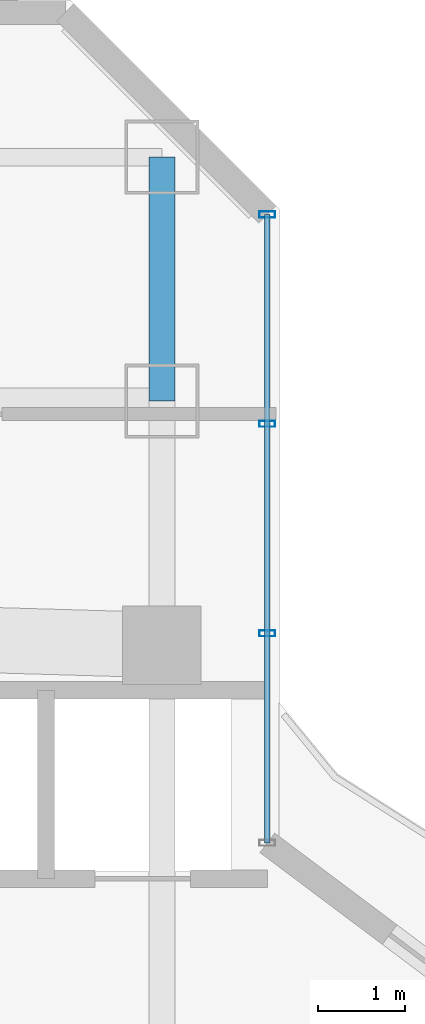
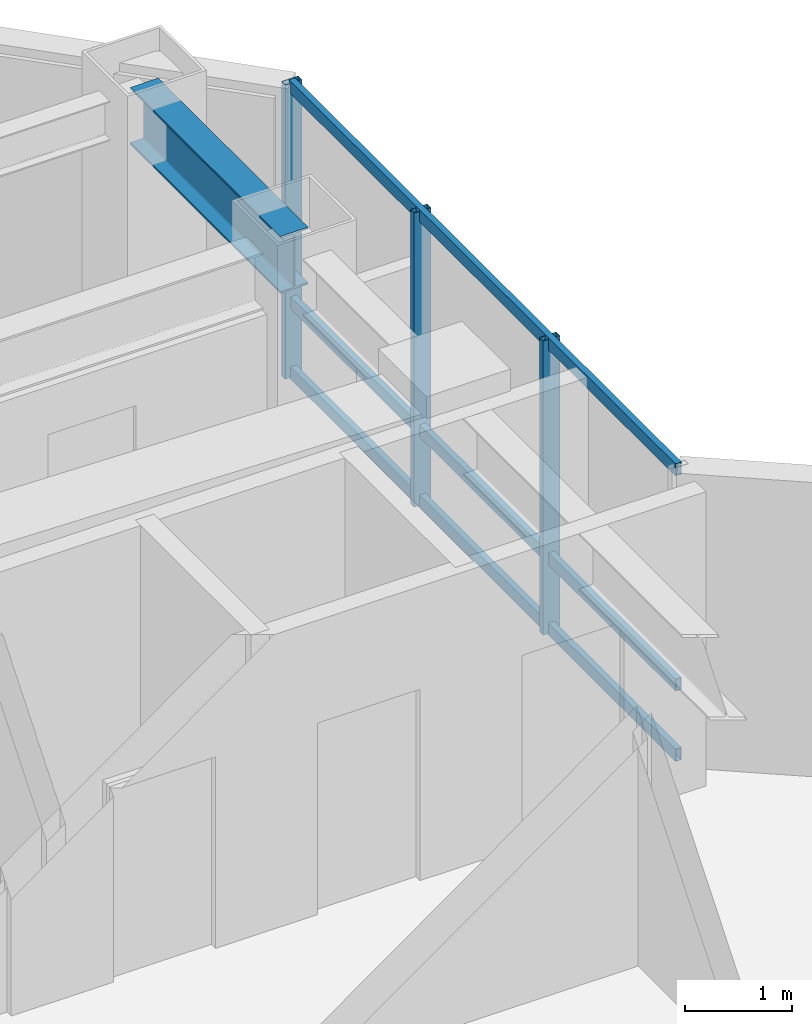
# One storey, part 19 of 29: 6 members, 1 beam, 1 element without a shape of its own.
"""IFC4 building model written with IfcOpenShell, lengths in metres."""

from ifc_helpers import new_model, si_unit, direction, frame, origin, origin_2d, place, context, subcontext, project, spatial, hollow_rectangle, i_section, extrude, material, layer, layer_set, material_profile, profile_set, type_object, element, aggregate, save


model = new_model("IFC4")

# Units and contexts
model_context = context("Model", 3, precision=1e-05, world=origin(), true_north=direction((0.0, 1.0)))
body_context = subcontext(model_context, "Body", "Model", "MODEL_VIEW")
ifc_project = project(units=[si_unit("LENGTHUNIT", "METRE"), si_unit("AREAUNIT", "SQUARE_METRE"), si_unit("VOLUMEUNIT", "CUBIC_METRE"), si_unit("PLANEANGLEUNIT", "RADIAN"), si_unit("MASSUNIT", "GRAM", prefix="KILO")], contexts=[model_context])

# Site, building, storey
site_placement = place(None, origin())
site = spatial("IfcSite", under=ifc_project, at=site_placement, CompositionType="ELEMENT")
building_placement = place(site_placement, origin())
building = spatial("IfcBuilding", under=site, at=building_placement, Name="Hatsunagi Terrace Concourse", CompositionType="ELEMENT")
storey_placement = place(building_placement, frame((0.0, 0.0, 149.25)))
storey = spatial("IfcBuildingStorey", under=building, at=storey_placement, Name="L39", CompositionType="ELEMENT", Elevation=149.25)

# Curtain wall, members
ifc_material_1 = material(Name="Anodised Aluminium Alloy 6063-T5", Category="aluminium")
ifc_layer = layer(ifc_material_1, 0.199951171875)
ifc_layer_set = layer_set([ifc_layer], Name="OfficeZone1_CW03")
curtain_wall_type = type_object("IfcCurtainWallType", Name="OfficeZone1_CW03", PredefinedType="NOTDEFINED", material=ifc_layer_set)
curtain_wall_placement = place(storey_placement, origin())
curtain_wall = element("IfcCurtainWall", 1, at=curtain_wall_placement, inside=storey, type_object=curtain_wall_type, Name="Unitised Curtain Wall CW-03 CW-L39-13", PredefinedType="NOTDEFINED")
ifc_material_2 = material(Name="Anodised Aluminium Alloy 6063-T5", Category="aluminium")
ifc_material_profile_1 = material_profile(ifc_material_2, hollow_rectangle(XDim=0.070068359375, YDim=0.179931640625, WallThickness=0.00390625, at=origin_2d()), Name="ALU-MUL-180x70x4")
ifc_profile_set_1 = profile_set([ifc_material_profile_1], Name="Anodised Aluminium Alloy 6063-T5")
member_type_1 = type_object("IfcMemberType", Name="CurtainWallMullion_180x70", PredefinedType="MULLION", material=ifc_profile_set_1)
member_1_placement = place(storey_placement, frame((44.860107421875, 47.94189453125, 0.0), z_axis=(0.0, 0.0, 1.0), x_axis=(0.0, -1.0, 0.0)))
member_1 = element("IfcMember", 2, at=member_1_placement, type_object=member_type_1, Name="Curtain Wall Mullion MUL-02", PredefinedType="MULLION", context=body_context, shape_type="SweptSolid", body=[
    extrude(hollow_rectangle(XDim=0.070068359375, YDim=0.179931640625, WallThickness=0.00390625, at=origin_2d()), origin(), (0.0, 0.0, 1.0), 3.35009765625),
])
member_2_placement = place(storey_placement, frame((44.860107421875, 45.5380859375, 0.0), z_axis=(0.0, 0.0, 1.0), x_axis=(0.0, -1.0, 0.0)))
member_2 = element("IfcMember", 3, at=member_2_placement, type_object=member_type_1, Name="Curtain Wall Mullion MUL-02", PredefinedType="MULLION", context=body_context, shape_type="SweptSolid", body=[
    extrude(hollow_rectangle(XDim=0.070068359375, YDim=0.179931640625, WallThickness=0.00390625, at=origin_2d()), origin(), (0.0, 0.0, 1.0), 3.35009765625),
])
member_3_placement = place(storey_placement, frame((44.860107421875, 43.134033203125, 0.0), z_axis=(0.0, 0.0, 1.0), x_axis=(0.0, -1.0, 0.0)))
member_3 = element("IfcMember", 4, at=member_3_placement, type_object=member_type_1, Name="Curtain Wall Mullion MUL-02", PredefinedType="MULLION", context=body_context, shape_type="SweptSolid", body=[
    extrude(hollow_rectangle(XDim=0.070068359375, YDim=0.179931640625, WallThickness=0.00390625, at=origin_2d()), origin(), (0.0, 0.0, 1.0), 3.35009765625),
])
ifc_material_3 = material(Name="Anodised Aluminium Alloy 6063-T5", Category="aluminium")
ifc_material_profile_2 = material_profile(ifc_material_3, hollow_rectangle(XDim=0.06494140625, YDim=0.139892578125, WallThickness=0.00390625, at=origin_2d()), Name="ALU-TRN-140x65x4")
ifc_profile_set_2 = profile_set([ifc_material_profile_2], Name="Anodised Aluminium Alloy 6063-T5")
member_type_2 = type_object("IfcMemberType", Name="CurtainWallTransom_140x65", PredefinedType="USERDEFINED", material=ifc_profile_set_2)
member_4_placement = place(storey_placement, frame((44.860107421875, 47.94189453125, 0.050048828125), z_axis=(0.0, -1.0, 0.0), x_axis=(1.0, 0.0, 0.0)))
member_4 = element("IfcMember", 5, at=member_4_placement, type_object=member_type_2, Name="Curtain Wall Transom TRN-02", ObjectType="TRANSOM", PredefinedType="USERDEFINED", context=body_context, shape_type="SweptSolid", body=[
    extrude(hollow_rectangle(XDim=0.06494140625, YDim=0.139892578125, WallThickness=0.00390625, at=origin_2d()), origin(), (0.0, 0.0, 1.0), 7.2119140625),
])
member_5_placement = place(storey_placement, frame((44.860107421875, 47.94189453125, 0.85009765625), z_axis=(0.0, -1.0, 0.0), x_axis=(1.0, 0.0, 0.0)))
member_5 = element("IfcMember", 6, at=member_5_placement, type_object=member_type_2, Name="Curtain Wall Transom TRN-02", ObjectType="TRANSOM", PredefinedType="USERDEFINED", context=body_context, shape_type="SweptSolid", body=[
    extrude(hollow_rectangle(XDim=0.06494140625, YDim=0.139892578125, WallThickness=0.00390625, at=origin_2d()), origin(), (0.0, 0.0, 1.0), 7.2119140625),
])
member_6_placement = place(storey_placement, frame((44.860107421875, 47.94189453125, 3.300048828125), z_axis=(0.0, -1.0, 0.0), x_axis=(1.0, 0.0, 0.0)))
member_6 = element("IfcMember", 7, at=member_6_placement, type_object=member_type_2, Name="Curtain Wall Transom TRN-02", ObjectType="TRANSOM", PredefinedType="USERDEFINED", context=body_context, shape_type="SweptSolid", body=[
    extrude(hollow_rectangle(XDim=0.06494140625, YDim=0.139892578125, WallThickness=0.00390625, at=origin_2d()), origin(), (0.0, 0.0, 1.0), 7.2119140625),
])
aggregate(curtain_wall, [member_1, member_2, member_3, member_4, member_5, member_6])

# Beam
ifc_material_4 = material(Name="Steel SN490B", Category="steel")
ifc_material_profile_3 = material_profile(ifc_material_4, i_section(OverallWidth=0.300048828125, OverallDepth=0.64990234375, WebThickness=0.012939453125, FlangeThickness=0.02197265625, FilletRadius=0.01806640625, at=origin_2d()), Name="H-650x300x13x22")
ifc_profile_set_3 = profile_set([ifc_material_profile_3], Name="Steel SN490B")
beam_type = type_object("IfcBeamType", Name="OfficeLowGirder_H_650x300", PredefinedType="BEAM", material=ifc_profile_set_3)
beam_placement = place(storey_placement, frame((43.64990234375, 45.800048828125, 3.02490234375), z_axis=(0.0, 1.0, 0.0), x_axis=(-1.0, 0.0, 0.0)))
element("IfcBeam", 8, at=beam_placement, inside=storey, type_object=beam_type, Name="Beam G-05 BM-L39-KN-WN6", PredefinedType="BEAM", context=body_context, shape_type="SweptSolid", body=[
    extrude(i_section(OverallWidth=0.300048828125, OverallDepth=0.64990234375, WebThickness=0.012939453125, FlangeThickness=0.02197265625, FilletRadius=0.01806640625, at=origin_2d()), origin(), (0.0, 0.0, 1.0), 2.800048828125),
])

save(model, "model.ifc")
